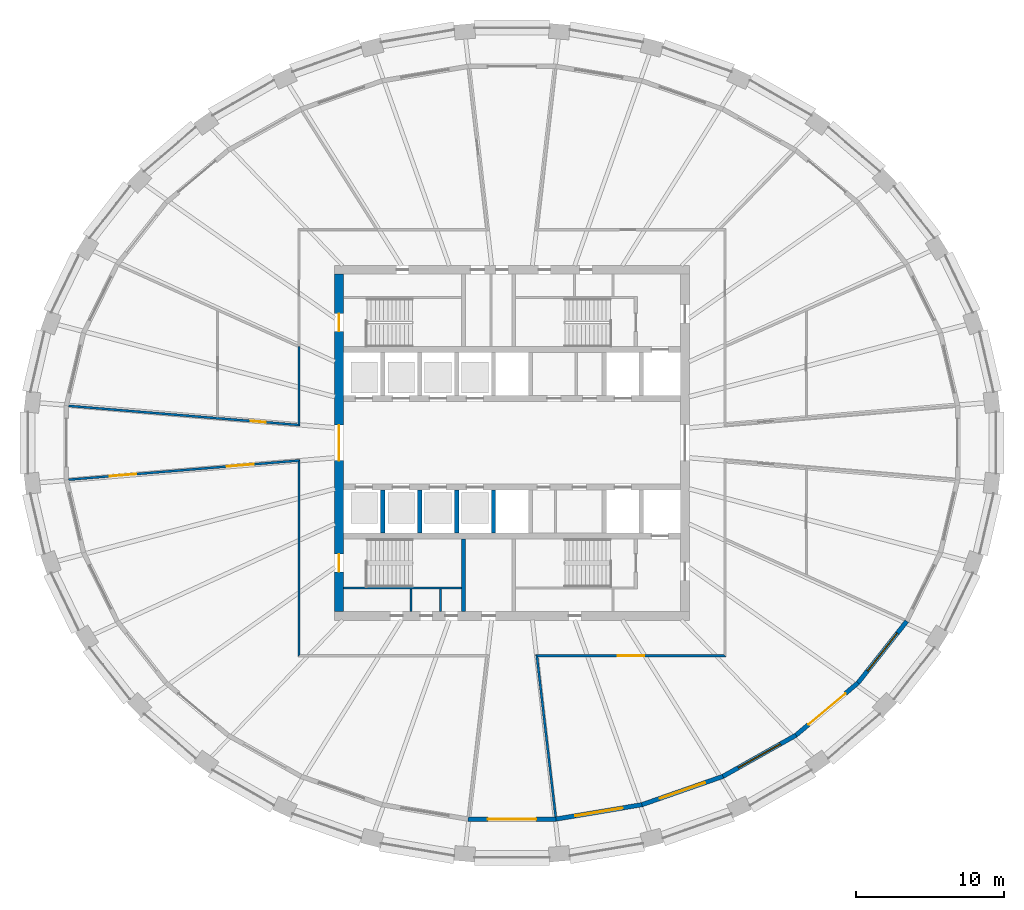
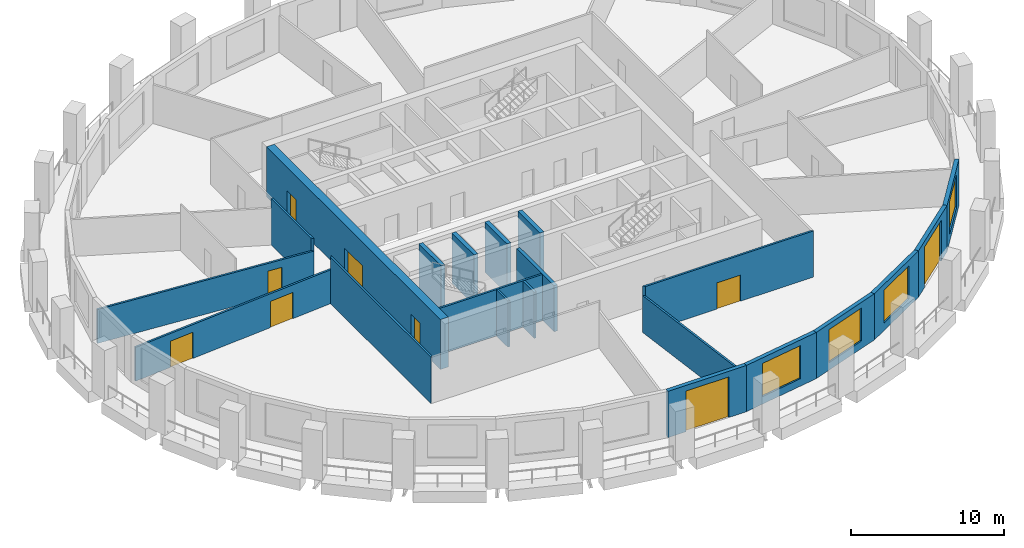
# One storey, part 3 of 10: 21 walls, 9 doors, 4 windows, 13 openings.
"""IFC4 building model written with IfcOpenShell, lengths in metres."""

from ifc_helpers import new_model, si_unit, direction, frame, frame_2d, origin, place, context, subcontext, project, spatial, polyline, rectangle, outline, extrude, material, layer, layer_set, type_object, element, fill, save


model = new_model("IFC4")

# Units and contexts
model_context = context("Model", 3, precision=1e-05, world=origin(), true_north=direction((0.0, 1.0)))
body_context = subcontext(model_context, "Body", "Model", "MODEL_VIEW")
ifc_project = project(units=[si_unit("LENGTHUNIT", "METRE"), si_unit("AREAUNIT", "SQUARE_METRE"), si_unit("VOLUMEUNIT", "CUBIC_METRE"), si_unit("PLANEANGLEUNIT", "RADIAN"), si_unit("MASSUNIT", "GRAM", prefix="KILO")], contexts=[model_context])

# Site, building, storey
site_placement = place(None, origin())
site = spatial("IfcSite", under=ifc_project, at=site_placement, CompositionType="ELEMENT")
building_placement = place(site_placement, origin())
building = spatial("IfcBuilding", under=site, at=building_placement, Name="Halqa Exchange Tower", CompositionType="ELEMENT")
storey_placement = place(building_placement, frame((0.0, 0.0, 186.89990234375)))
storey = spatial("IfcBuildingStorey", under=building, at=storey_placement, Name="L42", CompositionType="ELEMENT", Elevation=186.89990234375)

# Wall, opening, door
ifc_material_1 = material(Name="Fire-rated gypsum board")
ifc_layer_1 = layer(ifc_material_1, 0.14990234375)
ifc_layer_set_1 = layer_set([ifc_layer_1], Name="Fire-rated gypsum board")
wall_type_1 = type_object("IfcWallType", Name="Fire partition EI 60 150", PredefinedType="PARTITIONING", material=ifc_layer_set_1)
wall_1_placement = place(storey_placement, frame((-29.969970703125, 2.494384765625, 0.0), z_axis=(0.0, 0.0, 1.0), x_axis=(0.996561500002, -0.082856361942, 0.0)))
wall_1 = element("IfcWall", 1, at=wall_1_placement, inside=storey, type_object=wall_type_1, Name="L42-PWL-001", PredefinedType="PARTITIONING", context=body_context, shape_type="SweptSolid", body=[
    extrude(outline(polyline([(15.705078125, -0.074951171875), (15.705078125, -0.07470703125), (15.623779296875, 0.000244140625), (15.54248046875, 0.074951171875), (13.600341796875, 0.074951171875), (11.658203125, 0.074951171875), (9.71630859375, 0.074951171875), (7.774169921875, 0.074951171875), (5.83203125, 0.074951171875), (3.889892578125, 0.074951171875), (1.947998046875, 0.074951171875), (0.005859375, 0.074951171875), (0.0, 0.03564453125), (0.0, -0.073974609375), (0.0, -0.074951171875), (1.963134765625, -0.074951171875), (3.92626953125, -0.074951171875), (5.889404296875, -0.074951171875), (7.8525390625, -0.074951171875), (9.815673828125, -0.074951171875), (11.77880859375, -0.074951171875), (13.741943359375, -0.074951171875), (15.705078125, -0.074951171875)])), origin(), (0.0, 0.0, 1.0), 2.710205078125),
])
opening_1_placement = place(wall_1_placement, frame((12.364013671875, 0.0, 0.0)))
opening_1 = element("IfcOpeningElement", 2, at=opening_1_placement, cuts=wall_1, Name="Opening 12-03", PredefinedType="OPENING", context=body_context, shape_type="SweptSolid", body=[
    extrude(rectangle(XDim=1.0, YDim=2.10009765625, at=frame_2d((0.5, 1.050048828125))), frame((0.0, 0.0869140625, 0.0), z_axis=(0.0, -1.0, 0.0), x_axis=(1.0, 0.0, 0.0)), (0.0, 0.0, 1.0), 0.173828125),
])
ifc_material_2 = material(Name="Steel fire door leaf", Category="steel")
door_type_1 = type_object("IfcDoorType", Name="Fire door FD30S 1000 x 2100", OperationType="SINGLE_SWING_LEFT", PredefinedType="DOOR", material=ifc_material_2)
door_1_placement = place(opening_1_placement, origin())
door_1 = element("IfcDoor", 3, at=door_1_placement, inside=storey, type_object=door_type_1, Name="L42-IDR-003", OperationType="SINGLE_SWING_LEFT", OverallHeight=2.10009765625, OverallWidth=1.0, PredefinedType="DOOR", context=body_context, shape_type="SweptSolid", body=[
    extrude(rectangle(XDim=1.0, YDim=2.10009765625, at=frame_2d((0.5, 1.050048828125))), frame((0.0, 0.02490234375, 0.0), z_axis=(0.0, -1.0, 0.0), x_axis=(1.0, 0.0, 0.0)), (0.0, 0.0, 1.0), 0.050048828125),
])
fill(opening_1, door_1)

# Wall
wall_2_placement = place(storey_placement, frame((-14.39990234375, -14.47509765625, 0.0), z_axis=(0.0, 0.0, 1.0), x_axis=(0.0, 1.0, 0.0)))
element("IfcWall", 4, at=wall_2_placement, inside=storey, type_object=wall_type_1, Name="L42-PWL-004", PredefinedType="PARTITIONING", context=body_context, shape_type="SweptSolid", body=[
    extrude(outline(polyline([(0.150146484375, -0.074951171875), (2.036865234375, -0.074951171875), (3.92333984375, -0.074951171875), (5.81005859375, -0.074951171875), (7.69677734375, -0.074951171875), (9.583251953125, -0.074951171875), (11.469970703125, -0.074951171875), (13.356689453125, -0.074951171875), (13.19384765625, 0.074951171875), (11.30908203125, 0.074951171875), (9.424072265625, 0.074951171875), (7.539306640625, 0.074951171875), (5.654541015625, 0.074951171875), (3.769775390625, 0.074951171875), (1.885009765625, 0.074951171875), (0.000244140625, 0.074951171875), (0.150146484375, -0.074951171875)])), origin(), (0.0, 0.0, 1.0), 3.7001953125),
])

# Wall, openings, doors
wall_3_placement = place(storey_placement, frame((-14.31884765625, -1.193115234375, 0.0), z_axis=(0.0, 0.0, 1.0), x_axis=(-0.996562676797, -0.08284220673, 0.0)))
wall_3 = element("IfcWall", 5, at=wall_3_placement, inside=storey, type_object=wall_type_1, Name="L42-PWL-005", PredefinedType="PARTITIONING", context=body_context, shape_type="SweptSolid", body=[
    extrude(outline(polyline([(15.704833984375, -0.074951171875), (15.704833984375, 0.037841796875), (15.69921875, 0.074951171875), (13.757080078125, 0.074951171875), (11.815185546875, 0.074951171875), (9.873046875, 0.074951171875), (7.930908203125, 0.074951171875), (5.989013671875, 0.074951171875), (4.046875, 0.074951171875), (2.104736328125, 0.074951171875), (0.162841796875, 0.074951171875), (0.08154296875, 0.000244140625), (0.0, -0.07470703125), (0.0, -0.074951171875), (1.963134765625, -0.074951171875), (3.92626953125, -0.074951171875), (5.889404296875, -0.074951171875), (7.8525390625, -0.074951171875), (9.8154296875, -0.074951171875), (11.778564453125, -0.074951171875), (13.74169921875, -0.074951171875), (15.704833984375, -0.074951171875)])), origin(), (0.0, 0.0, 1.0), 2.710205078125),
])
opening_2_placement = place(wall_3_placement, frame((11.132568359375, 0.0, 0.0)))
opening_2 = element("IfcOpeningElement", 6, at=opening_2_placement, cuts=wall_3, Name="Opening 12-04", PredefinedType="OPENING", context=body_context, shape_type="SweptSolid", body=[
    extrude(rectangle(XDim=1.800048828125, YDim=2.10009765625, at=frame_2d((0.89990234375, 1.050048828125))), frame((0.0, 0.0869140625, 0.0), z_axis=(0.0, -1.0, 0.0), x_axis=(1.0, 0.0, 0.0)), (0.0, 0.0, 1.0), 0.173828125),
])
opening_3_placement = place(wall_3_placement, frame((3.165283203125, 0.0, 0.0)))
opening_3 = element("IfcOpeningElement", 7, at=opening_3_placement, cuts=wall_3, Name="Opening 12-05", PredefinedType="OPENING", context=body_context, shape_type="SweptSolid", body=[
    extrude(rectangle(XDim=1.800048828125, YDim=2.10009765625, at=frame_2d((0.89990234375, 1.050048828125))), frame((0.0, 0.0869140625, 0.0), z_axis=(0.0, -1.0, 0.0), x_axis=(1.0, 0.0, 0.0)), (0.0, 0.0, 1.0), 0.173828125),
])
door_type_2 = type_object("IfcDoorType", Name="Fire door FD30S double 1800 x 2100", OperationType="DOUBLE_DOOR_SINGLE_SWING", PredefinedType="DOOR", material=ifc_material_2)
door_2_placement = place(opening_2_placement, origin())
door_2 = element("IfcDoor", 8, at=door_2_placement, inside=storey, type_object=door_type_2, Name="L42-IDR-004", OperationType="DOUBLE_DOOR_SINGLE_SWING", OverallHeight=2.10009765625, OverallWidth=1.800048828125, PredefinedType="DOOR", context=body_context, shape_type="SweptSolid", body=[
    extrude(rectangle(XDim=1.800048828125, YDim=2.10009765625, at=frame_2d((0.89990234375, 1.050048828125))), frame((0.0, 0.02490234375, 0.0), z_axis=(0.0, -1.0, 0.0), x_axis=(1.0, 0.0, 0.0)), (0.0, 0.0, 1.0), 0.050048828125),
])
fill(opening_2, door_2)
door_3_placement = place(opening_3_placement, origin())
door_3 = element("IfcDoor", 9, at=door_3_placement, inside=storey, type_object=door_type_2, Name="L42-IDR-005", OperationType="DOUBLE_DOOR_SINGLE_SWING", OverallHeight=2.10009765625, OverallWidth=1.800048828125, PredefinedType="DOOR", context=body_context, shape_type="SweptSolid", body=[
    extrude(rectangle(XDim=1.800048828125, YDim=2.10009765625, at=frame_2d((0.89990234375, 1.050048828125))), frame((0.0, 0.02490234375, 0.0), z_axis=(0.0, -1.0, 0.0), x_axis=(1.0, 0.0, 0.0)), (0.0, 0.0, 1.0), 0.050048828125),
])
fill(opening_3, door_3)

# Walls
wall_4_placement = place(storey_placement, frame((-14.39990234375, 1.118408203125, 0.0), z_axis=(0.0, 0.0, 1.0), x_axis=(0.0, 1.0, 0.0)))
element("IfcWall", 10, at=wall_4_placement, inside=storey, type_object=wall_type_1, Name="L42-PWL-006", PredefinedType="PARTITIONING", context=body_context, shape_type="SweptSolid", body=[
    extrude(outline(polyline([(5.381591796875, 0.074951171875), (3.64208984375, 0.074951171875), (1.902587890625, 0.074951171875), (0.162841796875, 0.074951171875), (0.0, -0.074951171875), (1.7939453125, -0.074951171875), (3.587646484375, -0.074951171875), (5.381591796875, -0.074951171875), (5.381591796875, 0.074951171875)])), origin(), (0.0, 0.0, 1.0), 3.7001953125),
])
wall_5_placement = place(storey_placement, frame((1.670166015625, -14.31640625, 0.0), z_axis=(0.0, 0.0, 1.0), x_axis=(0.116172056535, -0.993229104125, 0.0)))
element("IfcWall", 11, at=wall_5_placement, inside=storey, type_object=wall_type_1, Name="L42-PWL-014", PredefinedType="PARTITIONING", context=body_context, shape_type="SweptSolid", body=[
    extrude(outline(polyline([(0.0, -0.074951171875), (1.8408203125, -0.074951171875), (3.681884765625, -0.074951171875), (5.522705078125, -0.074951171875), (7.363525390625, -0.074951171875), (9.20458984375, -0.074951171875), (11.04541015625, -0.074951171875), (11.0498046875, -0.037109375), (11.0498046875, 0.074951171875), (9.236328125, 0.074951171875), (7.422607421875, 0.074951171875), (5.609130859375, 0.074951171875), (3.79541015625, 0.074951171875), (1.98193359375, 0.074951171875), (0.16845703125, 0.074951171875), (0.084228515625, 0.0), (0.0, -0.074951171875), (0.0, -0.074951171875)])), origin(), (0.0, 0.0, 1.0), 2.947021484375),
])

# Wall, opening, door
wall_6_placement = place(storey_placement, frame((14.47509765625, -14.39990234375, 0.0), z_axis=(0.0, 0.0, 1.0), x_axis=(-1.0, 0.0, 0.0)))
wall_6 = element("IfcWall", 12, at=wall_6_placement, inside=storey, type_object=wall_type_1, Name="L42-PWL-018", PredefinedType="PARTITIONING", context=body_context, shape_type="SweptSolid", body=[
    extrude(outline(polyline([(12.87939453125, -0.074951171875), (12.87939453125, -0.074951171875), (12.7109375, 0.074951171875), (10.895263671875, 0.074951171875), (9.079345703125, 0.074951171875), (7.263427734375, 0.074951171875), (5.44775390625, 0.074951171875), (3.6318359375, 0.074951171875), (1.816162109375, 0.074951171875), (0.000244140625, 0.074951171875), (0.150146484375, -0.074951171875), (1.968505859375, -0.074951171875), (3.787109375, -0.074951171875), (5.60546875, -0.074951171875), (7.424072265625, -0.074951171875), (9.242431640625, -0.074951171875), (11.06103515625, -0.074951171875), (12.87939453125, -0.074951171875)])), origin(), (0.0, 0.0, 1.0), 3.7001953125),
])
opening_4_placement = place(wall_6_placement, frame((5.534912109375, 0.0, 0.0)))
opening_4 = element("IfcOpeningElement", 13, at=opening_4_placement, cuts=wall_6, Name="Opening 12-06", PredefinedType="OPENING", context=body_context, shape_type="SweptSolid", body=[
    extrude(rectangle(XDim=1.800048828125, YDim=2.10009765625, at=frame_2d((0.89990234375, 1.050048828125))), frame((0.0, 0.0869140625, 0.0), z_axis=(0.0, -1.0, 0.0), x_axis=(1.0, 0.0, 0.0)), (0.0, 0.0, 1.0), 0.173828125),
])
door_4_placement = place(opening_4_placement, origin())
door_4 = element("IfcDoor", 14, at=door_4_placement, inside=storey, type_object=door_type_2, Name="L42-IDR-006", OperationType="DOUBLE_DOOR_SINGLE_SWING", OverallHeight=2.10009765625, OverallWidth=1.800048828125, PredefinedType="DOOR", context=body_context, shape_type="SweptSolid", body=[
    extrude(rectangle(XDim=1.800048828125, YDim=2.10009765625, at=frame_2d((0.89990234375, 1.050048828125))), frame((0.0, 0.02490234375, 0.0), z_axis=(0.0, -1.0, 0.0), x_axis=(1.0, 0.0, 0.0)), (0.0, 0.0, 1.0), 0.050048828125),
])
fill(opening_4, door_4)

# Walls
ifc_material_3 = material(Name="Gypsum board")
ifc_layer_2 = layer(ifc_material_3, 0.14990234375)
ifc_layer_set_2 = layer_set([ifc_layer_2], Name="Gypsum board")
wall_type_2 = type_object("IfcWallType", Name="Penthouse riser wall 150 gypsum", PredefinedType="PARTITIONING", material=ifc_layer_set_2)
for number, where, z_axis, x_axis, name in (
    (15, (-6.824951171875, -11.39990234375, 0.0), (0.0, 0.0, 1.0), (0.0, 1.0, 0.0), "Partition W6.825 S"),
    (16, (-4.824951171875, -11.39990234375, 0.0), (0.0, 0.0, 1.0), (0.0, 1.0, 0.0), "Partition W4.825 S"),
):
    element("IfcWall", number, at=place(storey_placement, frame(where, z_axis=z_axis, x_axis=x_axis)), inside=storey, type_object=wall_type_2, Name=name, PredefinedType="PARTITIONING", context=body_context, shape_type="SweptSolid", body=[
        extrude(rectangle(XDim=1.5, YDim=0.14990234375, at=frame_2d((0.75, 0.0))), origin(), (0.0, 0.0, 1.0), 3.7001953125),
    ])
ifc_material_4 = material(Name="Concrete C60/75", Category="concrete")
ifc_layer_3 = layer(ifc_material_4, 0.300048828125)
ifc_layer_set_3 = layer_set([ifc_layer_3], Name="Concrete C60/75")
wall_type_3 = type_object("IfcWallType", Name="RC core wall 300", PredefinedType="SHEAR", material=ifc_layer_set_3)
for number, where, z_axis, x_axis, name in (
    (17, (-8.75, -6.10009765625, 0.0), (0.0, 0.0, 1.0), (0.0, 1.0, 0.0), "Shaft divider S1"),
    (18, (-6.25, -6.10009765625, 0.0), (0.0, 0.0, 1.0), (0.0, 1.0, 0.0), "Shaft divider S2"),
    (19, (-3.75, -6.10009765625, 0.0), (0.0, 0.0, 1.0), (0.0, 1.0, 0.0), "Shaft divider S3"),
    (20, (-1.25, -6.10009765625, 0.0), (0.0, 0.0, 1.0), (0.0, 1.0, 0.0), "Shaft divider S4"),
):
    element("IfcWall", number, at=place(storey_placement, frame(where, z_axis=z_axis, x_axis=x_axis)), inside=storey, type_object=wall_type_3, Name=name, PredefinedType="SHEAR", context=body_context, shape_type="SweptSolid", body=[
        extrude(rectangle(XDim=2.900146484375, YDim=0.300048828125, at=frame_2d((1.4501953125, 0.0))), origin(), (0.0, 0.0, 1.0), 4.0),
    ])

# Wall, openings, doors
ifc_material_5 = material(Name="Concrete C70/85", Category="concrete")
ifc_layer_4 = layer(ifc_material_5, 0.60009765625)
ifc_layer_set_4 = layer_set([ifc_layer_4], Name="Concrete C70/85")
wall_type_4 = type_object("IfcWallType", Name="RC core wall 600 C70/85", PredefinedType="SHEAR", material=ifc_layer_set_4)
wall_7_placement = place(storey_placement, frame((-11.699951171875, -11.39990234375, 0.0), z_axis=(0.0, 0.0, 1.0), x_axis=(0.0, 1.0, 0.0)))
wall_7 = element("IfcWall", 21, at=wall_7_placement, inside=storey, type_object=wall_type_4, Name="Core wall west", PredefinedType="SHEAR", context=body_context, shape_type="SweptSolid", body=[
    extrude(rectangle(XDim=22.7998046875, YDim=0.60009765625, at=frame_2d((11.39990234375, 0.0))), origin(), (0.0, 0.0, 1.0), 4.0),
])
opening_5_placement = place(wall_7_placement, frame((10.199951171875, 0.0, 0.0)))
opening_5 = element("IfcOpeningElement", 22, at=opening_5_placement, cuts=wall_7, Name="Opening T12-C13", PredefinedType="OPENING", context=body_context, shape_type="SweptSolid", body=[
    extrude(rectangle(XDim=2.39990234375, YDim=2.10009765625, at=frame_2d((1.199951171875, 1.050048828125))), frame((0.0, 0.31201171875, 0.0), z_axis=(0.0, -1.0, 0.0), x_axis=(1.0, 0.0, 0.0)), (0.0, 0.0, 1.0), 0.6240234375),
])
opening_6_placement = place(wall_7_placement, frame((18.925048828125, 0.0, 0.0)))
opening_6 = element("IfcOpeningElement", 23, at=opening_6_placement, cuts=wall_7, Name="Opening T12-C15", PredefinedType="OPENING", context=body_context, shape_type="SweptSolid", body=[
    extrude(rectangle(XDim=1.199951171875, YDim=2.10009765625, at=frame_2d((0.60009765625, 1.050048828125))), frame((0.0, 0.31201171875, 0.0), z_axis=(0.0, -1.0, 0.0), x_axis=(1.0, 0.0, 0.0)), (0.0, 0.0, 1.0), 0.6240234375),
])
opening_7_placement = place(wall_7_placement, frame((2.675048828125, 0.0, 0.0)))
opening_7 = element("IfcOpeningElement", 24, at=opening_7_placement, cuts=wall_7, Name="Opening T12-C17", PredefinedType="OPENING", context=body_context, shape_type="SweptSolid", body=[
    extrude(rectangle(XDim=1.199951171875, YDim=2.10009765625, at=frame_2d((0.60009765625, 1.050048828125))), frame((0.0, 0.31201171875, 0.0), z_axis=(0.0, -1.0, 0.0), x_axis=(1.0, 0.0, 0.0)), (0.0, 0.0, 1.0), 0.6240234375),
])
door_type_3 = type_object("IfcDoorType", Name="Lobby double door FD60 2400 x 2100", OperationType="DOUBLE_DOOR_SINGLE_SWING", PredefinedType="DOOR", material=ifc_material_2)
door_5_placement = place(opening_5_placement, frame((2.39990234375, 0.0, 0.0), z_axis=(0.0, 0.0, 1.0), x_axis=(-1.0, 0.0, 0.0)))
door_5 = element("IfcDoor", 25, at=door_5_placement, inside=storey, type_object=door_type_3, Name="Lift lobby double door", OperationType="DOUBLE_DOOR_SINGLE_SWING", OverallHeight=2.10009765625, OverallWidth=2.39990234375, PredefinedType="DOOR", context=body_context, shape_type="SweptSolid", body=[
    extrude(rectangle(XDim=2.39990234375, YDim=2.10009765625, at=frame_2d((1.199951171875, 1.050048828125))), frame((0.0, 0.02490234375, 0.0), z_axis=(0.0, -1.0, 0.0), x_axis=(1.0, 0.0, 0.0)), (0.0, 0.0, 1.0), 0.050048828125),
])
fill(opening_5, door_5)
door_type_4 = type_object("IfcDoorType", Name="Stair door FD90 1200 x 2100", OperationType="SINGLE_SWING_LEFT", PredefinedType="DOOR", material=ifc_material_2)
door_6_placement = place(opening_6_placement, frame((1.199951171875, 0.0, 0.0), z_axis=(0.0, 0.0, 1.0), x_axis=(-1.0, 0.0, 0.0)))
door_6 = element("IfcDoor", 26, at=door_6_placement, inside=storey, type_object=door_type_4, Name="Stair door ST1", OperationType="SINGLE_SWING_RIGHT", OverallHeight=2.10009765625, OverallWidth=1.199951171875, PredefinedType="DOOR", context=body_context, shape_type="SweptSolid", body=[
    extrude(rectangle(XDim=1.199951171875, YDim=2.10009765625, at=frame_2d((0.60009765625, 1.050048828125))), frame((0.0, 0.02490234375, 0.0), z_axis=(0.0, -1.0, 0.0), x_axis=(1.0, 0.0, 0.0)), (0.0, 0.0, 1.0), 0.050048828125),
])
fill(opening_6, door_6)
door_7_placement = place(opening_7_placement, frame((1.199951171875, 0.0, 0.0), z_axis=(0.0, 0.0, 1.0), x_axis=(-1.0, 0.0, 0.0)))
door_7 = element("IfcDoor", 27, at=door_7_placement, inside=storey, type_object=door_type_4, Name="Stair door ST3", OperationType="SINGLE_SWING_RIGHT", OverallHeight=2.10009765625, OverallWidth=1.199951171875, PredefinedType="DOOR", context=body_context, shape_type="SweptSolid", body=[
    extrude(rectangle(XDim=1.199951171875, YDim=2.10009765625, at=frame_2d((0.60009765625, 1.050048828125))), frame((0.0, 0.02490234375, 0.0), z_axis=(0.0, -1.0, 0.0), x_axis=(1.0, 0.0, 0.0)), (0.0, 0.0, 1.0), 0.050048828125),
])
fill(opening_7, door_7)

# Walls
ifc_material_6 = material(Name="Concrete C30/37", Category="concrete")
ifc_layer_5 = layer(ifc_material_6, 0.14990234375)
ifc_layer_set_5 = layer_set([ifc_layer_5], Name="Concrete C30/37")
wall_type_5 = type_object("IfcWallType", Name="RC stair wall 150 C30/37", PredefinedType="SHEAR", material=ifc_layer_set_5)
wall_8_placement = place(storey_placement, frame((-11.39990234375, -9.824951171875, 0.0), z_axis=(0.0, 0.0, 1.0), x_axis=(1.0, 0.0, 0.0)))
element("IfcWall", 28, at=wall_8_placement, inside=storey, type_object=wall_type_5, Name="Stair ST1 north wall S", PredefinedType="SHEAR", context=body_context, shape_type="SweptSolid", body=[
    extrude(rectangle(XDim=8.0, YDim=0.14990234375, at=frame_2d((4.0, 0.0))), origin(), (0.0, 0.0, 1.0), 3.7001953125),
])
ifc_layer_6 = layer(ifc_material_6, 0.25)
ifc_layer_set_6 = layer_set([ifc_layer_6], Name="Concrete C30/37")
wall_type_6 = type_object("IfcWallType", Name="RC stair wall 250 C30/37", PredefinedType="SHEAR", material=ifc_layer_set_6)
wall_9_placement = place(storey_placement, frame((-3.27490234375, -11.39990234375, 0.0), z_axis=(0.0, 0.0, 1.0), x_axis=(0.0, 1.0, 0.0)))
element("IfcWall", 29, at=wall_9_placement, inside=storey, type_object=wall_type_6, Name="Stair ST1 east wall S", PredefinedType="SHEAR", context=body_context, shape_type="SweptSolid", body=[
    extrude(rectangle(XDim=4.89990234375, YDim=0.25, at=frame_2d((2.449951171875, 0.0))), origin(), (0.0, 0.0, 1.0), 3.7001953125),
])

# Wall, opening, door
ifc_material_7 = material(Name="Limestone cladding", Category="masonry")
ifc_layer_7 = layer(ifc_material_7, 0.0400390625)
ifc_material_8 = material(Name="Ventilated cavity")
ifc_layer_8 = layer(ifc_material_8, 0.030029296875, ventilated=True)
ifc_material_9 = material(Name="Mineral wool insulation")
ifc_layer_9 = layer(ifc_material_9, 0.10009765625)
ifc_layer_10 = layer(ifc_material_6, 0.10009765625)
ifc_material_10 = material(Name="Internal plaster")
ifc_layer_11 = layer(ifc_material_10, 0.030029296875)
ifc_layer_set_7 = layer_set([ifc_layer_7, ifc_layer_8, ifc_layer_9, ifc_layer_10, ifc_layer_11], Name="Stone-faced insulated wall 300")
wall_type_7 = type_object("IfcWallType", Name="Stone-faced insulated wall 300", PredefinedType="STANDARD", material=ifc_layer_set_7)
wall_10_placement = place(storey_placement, frame((-2.96484375, -25.44580078125, 0.0), z_axis=(0.0, 0.0, 1.0), x_axis=(1.0, 0.0, 0.0)))
wall_10 = element("IfcWall", 30, at=wall_10_placement, inside=storey, type_object=wall_type_7, Name="Glass-line wall 24", PredefinedType="STANDARD", context=body_context, shape_type="SweptSolid", body=[
    extrude(outline(polyline([(-0.012451171875, -0.14990234375), (5.942138671875, -0.14990234375), (5.917236328125, 0.14990234375), (0.012451171875, 0.14990234375), (-0.012451171875, -0.14990234375)])), origin(), (0.0, 0.0, 1.0), 3.7001953125),
])
opening_8_placement = place(wall_10_placement, frame((1.33984375, 0.0, 0.0)))
opening_8 = element("IfcOpeningElement", 31, at=opening_8_placement, cuts=wall_10, Name="Opening LG-F3-06", PredefinedType="OPENING", context=body_context, shape_type="SweptSolid", body=[
    extrude(rectangle(XDim=3.25, YDim=3.25, at=frame_2d((1.625, 1.625))), frame((0.0, 0.162109375, 0.0), z_axis=(0.0, -1.0, 0.0), x_axis=(1.0, 0.0, 0.0)), (0.0, 0.0, 1.0), 0.323974609375),
])
ifc_material_11 = material(Name="Clear low-emissivity glass in aluminium frame", Category="aluminium")
door_type_5 = type_object("IfcDoorType", Name="Glazed sliding loggia door 3250 x 3250", OperationType="DOUBLE_DOOR_SLIDING", PredefinedType="DOOR", material=ifc_material_11)
door_8_placement = place(opening_8_placement, origin())
door_8 = element("IfcDoor", 32, at=door_8_placement, inside=storey, type_object=door_type_5, Name="Loggia door 6", OperationType="DOUBLE_DOOR_SLIDING", OverallHeight=3.25, OverallWidth=3.25, PredefinedType="DOOR", context=body_context, shape_type="SweptSolid", body=[
    extrude(rectangle(XDim=3.25, YDim=3.25, at=frame_2d((1.625, 1.625))), frame((0.0, 0.02490234375, 0.0), z_axis=(0.0, -1.0, 0.0), x_axis=(1.0, 0.0, 0.0)), (0.0, 0.0, 1.0), 0.050048828125),
])
fill(opening_8, door_8)

# Wall, opening, window
wall_11_placement = place(storey_placement, frame((2.96484375, -25.44580078125, 0.0), z_axis=(0.0, 0.0, 1.0), x_axis=(0.986201934369, 0.165546805001, 0.0)))
wall_11 = element("IfcWall", 33, at=wall_11_placement, inside=storey, type_object=wall_type_7, Name="Glass-line wall 25", PredefinedType="STANDARD", context=body_context, shape_type="SweptSolid", body=[
    extrude(outline(polyline([(-0.012451171875, -0.14990234375), (5.91015625, -0.14990234375), (5.884765625, 0.14990234375), (0.012451171875, 0.14990234375), (-0.012451171875, -0.14990234375)])), origin(), (0.0, 0.0, 1.0), 3.7001953125),
])
opening_9_placement = place(wall_11_placement, frame((1.32373046875, 0.0, 0.60009765625)))
opening_9 = element("IfcOpeningElement", 34, at=opening_9_placement, cuts=wall_11, Name="Opening W-F3-25", PredefinedType="OPENING", context=body_context, shape_type="SweptSolid", body=[
    extrude(rectangle(XDim=3.25, YDim=2.64990234375, at=frame_2d((1.625, 1.324951171875))), frame((0.0, 0.162109375, 0.0), z_axis=(0.0, -1.0, 0.0), x_axis=(1.0, 0.0, 0.0)), (0.0, 0.0, 1.0), 0.323974609375),
])
window_type = type_object("IfcWindowType", Name="Fixed clear glazed window 3250 x 2650", PartitioningType="TRIPLE_PANEL_VERTICAL", PredefinedType="WINDOW", material=ifc_material_11)
window_1_placement = place(opening_9_placement, origin())
window_1 = element("IfcWindow", 35, at=window_1_placement, inside=storey, type_object=window_type, Name="Window 3", OverallHeight=2.64990234375, OverallWidth=3.25, PartitioningType="TRIPLE_PANEL_VERTICAL", PredefinedType="WINDOW", context=body_context, shape_type="SweptSolid", body=[
    extrude(rectangle(XDim=3.25, YDim=2.64990234375, at=frame_2d((1.625, 1.324951171875))), frame((0.0, 0.030029296875, 0.0), z_axis=(0.0, -1.0, 0.0), x_axis=(1.0, 0.0, 0.0)), (0.0, 0.0, 1.0), 0.06005859375),
])
fill(opening_9, window_1)

wall_12_placement = place(storey_placement, frame((8.781005859375, -24.469482421875, 0.0), z_axis=(0.0, 0.0, 1.0), x_axis=(0.943990724372, 0.329971987144, 0.0)))
wall_12 = element("IfcWall", 36, at=wall_12_placement, inside=storey, type_object=wall_type_7, Name="Glass-line wall 26", PredefinedType="STANDARD", context=body_context, shape_type="SweptSolid", body=[
    extrude(outline(polyline([(-0.0126953125, -0.14990234375), (5.818603515625, -0.14990234375), (5.791748046875, 0.14990234375), (0.0126953125, 0.14990234375), (-0.0126953125, -0.14990234375)])), origin(), (0.0, 0.0, 1.0), 3.7001953125),
])
opening_10_placement = place(wall_12_placement, frame((1.277587890625, 0.0, 0.60009765625)))
opening_10 = element("IfcOpeningElement", 37, at=opening_10_placement, cuts=wall_12, Name="Opening W-F3-26", PredefinedType="OPENING", context=body_context, shape_type="SweptSolid", body=[
    extrude(rectangle(XDim=3.25, YDim=2.64990234375, at=frame_2d((1.625, 1.324951171875))), frame((0.0, 0.162109375, 0.0), z_axis=(0.0, -1.0, 0.0), x_axis=(1.0, 0.0, 0.0)), (0.0, 0.0, 1.0), 0.323974609375),
])
window_2_placement = place(opening_10_placement, origin())
window_2 = element("IfcWindow", 38, at=window_2_placement, inside=storey, type_object=window_type, Name="Window 3", OverallHeight=2.64990234375, OverallWidth=3.25, PartitioningType="TRIPLE_PANEL_VERTICAL", PredefinedType="WINDOW", context=body_context, shape_type="SweptSolid", body=[
    extrude(rectangle(XDim=3.25, YDim=2.64990234375, at=frame_2d((1.625, 1.324951171875))), frame((0.0, 0.030029296875, 0.0), z_axis=(0.0, -1.0, 0.0), x_axis=(1.0, 0.0, 0.0)), (0.0, 0.0, 1.0), 0.06005859375),
])
fill(opening_10, window_2)

wall_13_placement = place(storey_placement, frame((14.260986328125, -22.553955078125, 0.0), z_axis=(0.0, 0.0, 1.0), x_axis=(0.871077775545, 0.491145099691, 0.0)))
wall_13 = element("IfcWall", 39, at=wall_13_placement, inside=storey, type_object=wall_type_7, Name="Glass-line wall 27", PredefinedType="STANDARD", context=body_context, shape_type="SweptSolid", body=[
    extrude(outline(polyline([(-0.013427734375, -0.14990234375), (5.677978515625, -0.14990234375), (5.649658203125, 0.14990234375), (0.013427734375, 0.14990234375), (-0.013427734375, -0.14990234375)])), origin(), (0.0, 0.0, 1.0), 3.7001953125),
])
opening_11_placement = place(wall_13_placement, frame((1.206787109375, 0.0, 0.60009765625)))
opening_11 = element("IfcOpeningElement", 40, at=opening_11_placement, cuts=wall_13, Name="Opening W-F3-27", PredefinedType="OPENING", context=body_context, shape_type="SweptSolid", body=[
    extrude(rectangle(XDim=3.25, YDim=2.64990234375, at=frame_2d((1.625, 1.324951171875))), frame((0.0, 0.162109375, 0.0), z_axis=(0.0, -1.0, 0.0), x_axis=(1.0, 0.0, 0.0)), (0.0, 0.0, 1.0), 0.323974609375),
])
window_3_placement = place(opening_11_placement, origin())
window_3 = element("IfcWindow", 41, at=window_3_placement, inside=storey, type_object=window_type, Name="Window 3", OverallHeight=2.64990234375, OverallWidth=3.25, PartitioningType="TRIPLE_PANEL_VERTICAL", PredefinedType="WINDOW", context=body_context, shape_type="SweptSolid", body=[
    extrude(rectangle(XDim=3.25, YDim=2.64990234375, at=frame_2d((1.625, 1.324951171875))), frame((0.0, 0.030029296875, 0.0), z_axis=(0.0, -1.0, 0.0), x_axis=(1.0, 0.0, 0.0)), (0.0, 0.0, 1.0), 0.06005859375),
])
fill(opening_11, window_3)

# Wall, opening, door
wall_14_placement = place(storey_placement, frame((19.194580078125, -19.772216796875, 0.0), z_axis=(0.0, 0.0, 1.0), x_axis=(0.764238764041, 0.64493341636, 0.0)))
wall_14 = element("IfcWall", 42, at=wall_14_placement, inside=storey, type_object=wall_type_7, Name="Glass-line wall 28", PredefinedType="STANDARD", context=body_context, shape_type="SweptSolid", body=[
    extrude(outline(polyline([(-0.01416015625, -0.14990234375), (5.507568359375, -0.14990234375), (5.477294921875, 0.14990234375), (0.01416015625, 0.14990234375), (-0.01416015625, -0.14990234375)])), origin(), (0.0, 0.0, 1.0), 3.7001953125),
])
opening_12_placement = place(wall_14_placement, frame((1.12109375, 0.0, 0.0)))
opening_12 = element("IfcOpeningElement", 43, at=opening_12_placement, cuts=wall_14, Name="Opening LG-F3-07", PredefinedType="OPENING", context=body_context, shape_type="SweptSolid", body=[
    extrude(rectangle(XDim=3.25, YDim=3.25, at=frame_2d((1.625, 1.625))), frame((0.0, 0.162109375, 0.0), z_axis=(0.0, -1.0, 0.0), x_axis=(1.0, 0.0, 0.0)), (0.0, 0.0, 1.0), 0.323974609375),
])
door_9_placement = place(opening_12_placement, origin())
door_9 = element("IfcDoor", 44, at=door_9_placement, inside=storey, type_object=door_type_5, Name="Loggia door 7", OperationType="DOUBLE_DOOR_SLIDING", OverallHeight=3.25, OverallWidth=3.25, PredefinedType="DOOR", context=body_context, shape_type="SweptSolid", body=[
    extrude(rectangle(XDim=3.25, YDim=3.25, at=frame_2d((1.625, 1.625))), frame((0.0, 0.02490234375, 0.0), z_axis=(0.0, -1.0, 0.0), x_axis=(1.0, 0.0, 0.0)), (0.0, 0.0, 1.0), 0.050048828125),
])
fill(opening_12, door_9)

# Wall, opening, window
wall_15_placement = place(storey_placement, frame((23.39208984375, -16.22998046875, 0.0), z_axis=(0.0, 0.0, 1.0), x_axis=(0.620766467446, 0.78399553117, 0.0)))
wall_15 = element("IfcWall", 45, at=wall_15_placement, inside=storey, type_object=wall_type_7, Name="Glass-line wall 29", PredefinedType="STANDARD", context=body_context, shape_type="SweptSolid", body=[
    extrude(outline(polyline([(-0.01513671875, -0.14990234375), (5.331787109375, -0.14990234375), (5.299560546875, 0.14990234375), (0.01513671875, 0.14990234375), (-0.01513671875, -0.14990234375)])), origin(), (0.0, 0.0, 1.0), 3.7001953125),
])
opening_13_placement = place(wall_15_placement, frame((1.032958984375, 0.0, 0.60009765625)))
opening_13 = element("IfcOpeningElement", 46, at=opening_13_placement, cuts=wall_15, Name="Opening W-F3-29", PredefinedType="OPENING", context=body_context, shape_type="SweptSolid", body=[
    extrude(rectangle(XDim=3.25, YDim=2.64990234375, at=frame_2d((1.625, 1.324951171875))), frame((0.0, 0.162109375, 0.0), z_axis=(0.0, -1.0, 0.0), x_axis=(1.0, 0.0, 0.0)), (0.0, 0.0, 1.0), 0.323974609375),
])
window_4_placement = place(opening_13_placement, origin())
window_4 = element("IfcWindow", 47, at=window_4_placement, inside=storey, type_object=window_type, Name="Window 3", OverallHeight=2.64990234375, OverallWidth=3.25, PartitioningType="TRIPLE_PANEL_VERTICAL", PredefinedType="WINDOW", context=body_context, shape_type="SweptSolid", body=[
    extrude(rectangle(XDim=3.25, YDim=2.64990234375, at=frame_2d((1.625, 1.324951171875))), frame((0.0, 0.030029296875, 0.0), z_axis=(0.0, -1.0, 0.0), x_axis=(1.0, 0.0, 0.0)), (0.0, 0.0, 1.0), 0.06005859375),
])
fill(opening_13, window_4)

save(model, "model.ifc")
